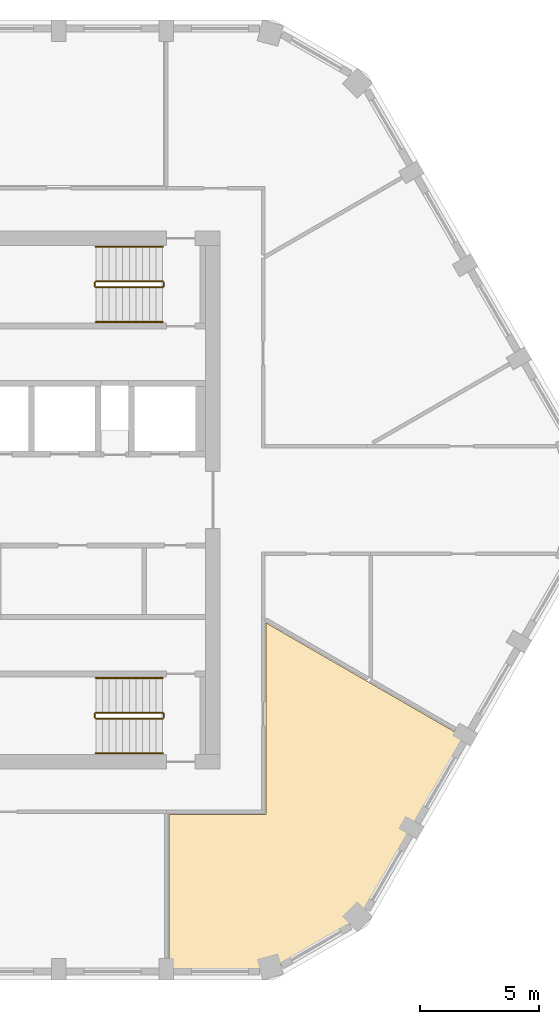
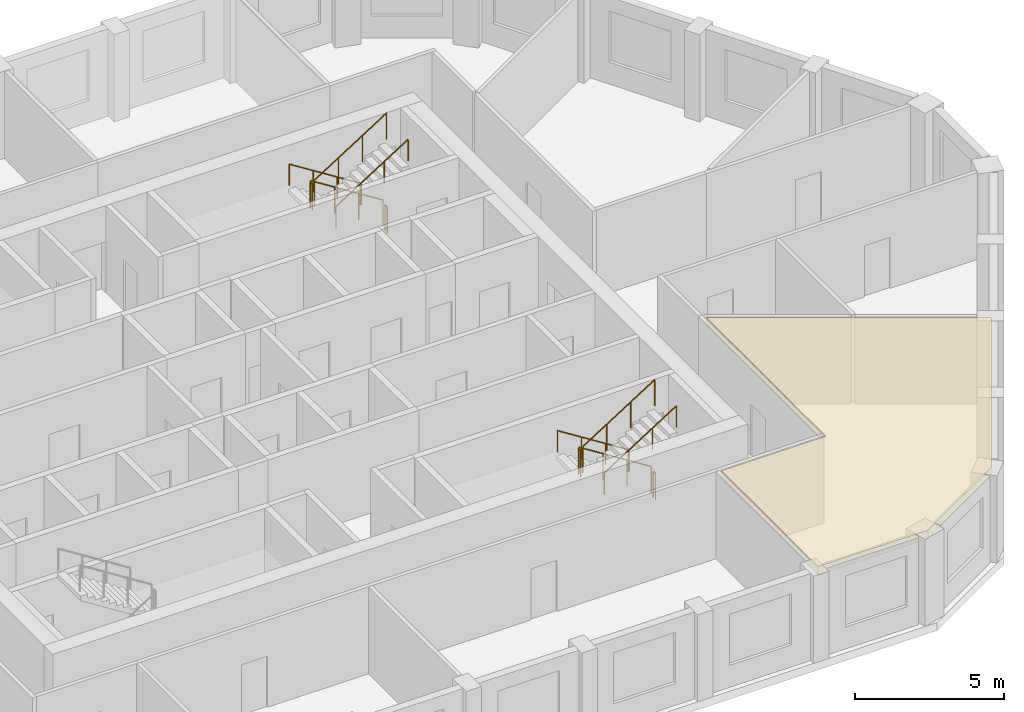
# One storey, part 9 of 10: 12 railings, 1 covering.
"""IFC4 building model written with IfcOpenShell, lengths in metres."""

from ifc_helpers import new_model, si_unit, direction, frame, origin, origin_2d, place, context, subcontext, project, spatial, polyline, circle, outline, extrude, material, layer, layer_set, type_object, element, save


model = new_model("IFC4")

# Units and contexts
model_context = context("Model", 3, precision=1e-05, world=origin(), true_north=direction((0.0, 1.0)))
body_context = subcontext(model_context, "Body", "Model", "MODEL_VIEW")
ifc_project = project(units=[si_unit("LENGTHUNIT", "METRE"), si_unit("AREAUNIT", "SQUARE_METRE"), si_unit("VOLUMEUNIT", "CUBIC_METRE"), si_unit("PLANEANGLEUNIT", "RADIAN"), si_unit("MASSUNIT", "GRAM", prefix="KILO")], contexts=[model_context])

# Site, building, storey
site_placement = place(None, origin())
site = spatial("IfcSite", under=ifc_project, at=site_placement, CompositionType="ELEMENT")
building_placement = place(site_placement, origin())
building = spatial("IfcBuilding", under=site, at=building_placement, Name="Dhurran Vertical Campus", CompositionType="ELEMENT")
storey_placement = place(building_placement, frame((0.0, 0.0, 302.10009765625)))
storey = spatial("IfcBuildingStorey", under=building, at=storey_placement, Name="L75", CompositionType="ELEMENT", Elevation=302.10009765625)

# Railings
ifc_material_1 = material(Name="Stainless steel balustrade", Category="steel")
railing_type_1 = type_object("IfcRailingType", Name="co-RL-GUARD-1100", PredefinedType="GUARDRAIL", material=ifc_material_1)
railing_1_placement = place(storey_placement, frame((11.10009765625, 9.14990234375, 0.17724609375)))
element("IfcRailing", 1, at=railing_1_placement, inside=storey, type_object=railing_type_1, Name="L75 ST2 stair guard 1", PredefinedType="GUARDRAIL", context=body_context, shape_type="SweptSolid", body=[
    extrude(circle(Radius=0.02392578125, at=origin_2d()), frame((0.0, 0.0, 1.076171875), z_axis=(-0.844908973607, 0.0, 0.534910110503), x_axis=(0.0, -1.0, 0.0)), (0.0, 0.0, 1.0), 3.31396484375),
    extrude(circle(Radius=0.02099609375, at=origin_2d()), origin(), (0.0, 0.0, 1.0), 1.052001953125),
    extrude(circle(Radius=0.02099609375, at=origin_2d()), frame((-0.933349609375, 0.0, 0.5908203125)), (0.0, 0.0, 1.0), 1.052001953125),
    extrude(circle(Radius=0.02099609375, at=origin_2d()), frame((-1.86669921875, 0.0, 1.181884765625)), (0.0, 0.0, 1.0), 1.052001953125),
    extrude(circle(Radius=0.02099609375, at=origin_2d()), frame((-2.800048828125, 0.0, 1.772705078125)), (0.0, 0.0, 1.0), 1.052001953125),
])
railing_2_placement = place(storey_placement, frame((8.25, 9.10009765625, 1.949951171875)))
element("IfcRailing", 2, at=railing_2_placement, inside=storey, type_object=railing_type_1, Name="L75 ST2 stair guard 2", PredefinedType="GUARDRAIL", context=body_context, shape_type="SweptSolid", body=[
    extrude(circle(Radius=0.02392578125, at=origin_2d()), frame((0.0, 0.0, 1.076171875), z_axis=(0.0, -1.0, 0.0), x_axis=(1.0, 0.0, 0.0)), (0.0, 0.0, 1.0), 0.150146484375),
    extrude(circle(Radius=0.02099609375, at=origin_2d()), origin(), (0.0, 0.0, 1.0), 1.052001953125),
    extrude(circle(Radius=0.02099609375, at=origin_2d()), frame((0.0, -0.150146484375, 0.0)), (0.0, 0.0, 1.0), 1.052001953125),
])
railing_3_placement = place(storey_placement, frame((8.300048828125, 8.89990234375, 2.127197265625)))
element("IfcRailing", 3, at=railing_3_placement, inside=storey, type_object=railing_type_1, Name="L75 ST2 stair guard 3", PredefinedType="GUARDRAIL", context=body_context, shape_type="SweptSolid", body=[
    extrude(circle(Radius=0.02392578125, at=origin_2d()), frame((0.0, 0.0, 1.076171875), z_axis=(0.844908973607, 0.0, 0.534910110503), x_axis=(0.0, 1.0, 0.0)), (0.0, 0.0, 1.0), 3.31396484375),
    extrude(circle(Radius=0.02099609375, at=origin_2d()), origin(), (0.0, 0.0, 1.0), 1.052001953125),
    extrude(circle(Radius=0.02099609375, at=origin_2d()), frame((0.933349609375, 0.0, 0.5908203125)), (0.0, 0.0, 1.0), 1.052001953125),
    extrude(circle(Radius=0.02099609375, at=origin_2d()), frame((1.86669921875, 0.0, 1.181884765625)), (0.0, 0.0, 1.0), 1.052001953125),
    extrude(circle(Radius=0.02099609375, at=origin_2d()), frame((2.800048828125, 0.0, 1.772705078125)), (0.0, 0.0, 1.0), 1.052001953125),
])
railing_4_placement = place(storey_placement, frame((11.14990234375, 9.10009765625, 0.0)))
element("IfcRailing", 4, at=railing_4_placement, inside=storey, type_object=railing_type_1, Name="L75 ST2 stair guard 4", PredefinedType="GUARDRAIL", context=body_context, shape_type="SweptSolid", body=[
    extrude(circle(Radius=0.02392578125, at=origin_2d()), frame((0.0, 0.0, 1.076171875), z_axis=(0.0, -1.0, 0.0), x_axis=(1.0, 0.0, 0.0)), (0.0, 0.0, 1.0), 0.150146484375),
    extrude(circle(Radius=0.02099609375, at=origin_2d()), origin(), (0.0, 0.0, 1.0), 1.052001953125),
    extrude(circle(Radius=0.02099609375, at=origin_2d()), frame((0.0, -0.150146484375, 0.0)), (0.0, 0.0, 1.0), 1.052001953125),
])
railing_5_placement = place(storey_placement, frame((11.10009765625, -8.89990234375, 0.17724609375)))
element("IfcRailing", 5, at=railing_5_placement, inside=storey, type_object=railing_type_1, Name="L75 ST4 stair guard 1", PredefinedType="GUARDRAIL", context=body_context, shape_type="SweptSolid", body=[
    extrude(circle(Radius=0.02392578125, at=origin_2d()), frame((0.0, 0.0, 1.076171875), z_axis=(-0.844908973607, 0.0, 0.534910110503), x_axis=(0.0, -1.0, 0.0)), (0.0, 0.0, 1.0), 3.31396484375),
    extrude(circle(Radius=0.02099609375, at=origin_2d()), origin(), (0.0, 0.0, 1.0), 1.052001953125),
    extrude(circle(Radius=0.02099609375, at=origin_2d()), frame((-0.933349609375, 0.0, 0.5908203125)), (0.0, 0.0, 1.0), 1.052001953125),
    extrude(circle(Radius=0.02099609375, at=origin_2d()), frame((-1.86669921875, 0.0, 1.181884765625)), (0.0, 0.0, 1.0), 1.052001953125),
    extrude(circle(Radius=0.02099609375, at=origin_2d()), frame((-2.800048828125, 0.0, 1.772705078125)), (0.0, 0.0, 1.0), 1.052001953125),
])
railing_6_placement = place(storey_placement, frame((8.25, -8.949951171875, 1.949951171875)))
element("IfcRailing", 6, at=railing_6_placement, inside=storey, type_object=railing_type_1, Name="L75 ST4 stair guard 2", PredefinedType="GUARDRAIL", context=body_context, shape_type="SweptSolid", body=[
    extrude(circle(Radius=0.02392578125, at=origin_2d()), frame((0.0, 0.0, 1.076171875), z_axis=(0.0, -1.0, 0.0), x_axis=(1.0, 0.0, 0.0)), (0.0, 0.0, 1.0), 0.150146484375),
    extrude(circle(Radius=0.02099609375, at=origin_2d()), origin(), (0.0, 0.0, 1.0), 1.052001953125),
    extrude(circle(Radius=0.02099609375, at=origin_2d()), frame((0.0, -0.150146484375, 0.0)), (0.0, 0.0, 1.0), 1.052001953125),
])
railing_7_placement = place(storey_placement, frame((8.300048828125, -9.14990234375, 2.127197265625)))
element("IfcRailing", 7, at=railing_7_placement, inside=storey, type_object=railing_type_1, Name="L75 ST4 stair guard 3", PredefinedType="GUARDRAIL", context=body_context, shape_type="SweptSolid", body=[
    extrude(circle(Radius=0.02392578125, at=origin_2d()), frame((0.0, 0.0, 1.076171875), z_axis=(0.844908973607, 0.0, 0.534910110503), x_axis=(0.0, 1.0, 0.0)), (0.0, 0.0, 1.0), 3.31396484375),
    extrude(circle(Radius=0.02099609375, at=origin_2d()), origin(), (0.0, 0.0, 1.0), 1.052001953125),
    extrude(circle(Radius=0.02099609375, at=origin_2d()), frame((0.933349609375, 0.0, 0.5908203125)), (0.0, 0.0, 1.0), 1.052001953125),
    extrude(circle(Radius=0.02099609375, at=origin_2d()), frame((1.86669921875, 0.0, 1.181884765625)), (0.0, 0.0, 1.0), 1.052001953125),
    extrude(circle(Radius=0.02099609375, at=origin_2d()), frame((2.800048828125, 0.0, 1.772705078125)), (0.0, 0.0, 1.0), 1.052001953125),
])
railing_8_placement = place(storey_placement, frame((11.14990234375, -8.949951171875, 0.0)))
element("IfcRailing", 8, at=railing_8_placement, inside=storey, type_object=railing_type_1, Name="L75 ST4 stair guard 4", PredefinedType="GUARDRAIL", context=body_context, shape_type="SweptSolid", body=[
    extrude(circle(Radius=0.02392578125, at=origin_2d()), frame((0.0, 0.0, 1.076171875), z_axis=(0.0, -1.0, 0.0), x_axis=(1.0, 0.0, 0.0)), (0.0, 0.0, 1.0), 0.150146484375),
    extrude(circle(Radius=0.02099609375, at=origin_2d()), origin(), (0.0, 0.0, 1.0), 1.052001953125),
    extrude(circle(Radius=0.02099609375, at=origin_2d()), frame((0.0, -0.150146484375, 0.0)), (0.0, 0.0, 1.0), 1.052001953125),
])
ifc_material_2 = material(Name="Stainless steel handrail", Category="steel")
railing_type_2 = type_object("IfcRailingType", Name="co-RL-HANDRAIL-900", PredefinedType="HANDRAIL", material=ifc_material_2)
railing_9_placement = place(storey_placement, frame((11.10009765625, 10.60009765625, 0.17724609375)))
element("IfcRailing", 9, at=railing_9_placement, inside=storey, type_object=railing_type_2, Name="L75 ST2 stair handrail 1", PredefinedType="HANDRAIL", context=body_context, shape_type="SweptSolid", body=[
    extrude(circle(Radius=0.02392578125, at=origin_2d()), frame((0.0, 0.0, 0.8759765625), z_axis=(-0.844908973607, 0.0, 0.534910110503), x_axis=(0.0, -1.0, 0.0)), (0.0, 0.0, 1.0), 3.31396484375),
    extrude(circle(Radius=0.02099609375, at=origin_2d()), origin(), (0.0, 0.0, 1.0), 0.851806640625),
    extrude(circle(Radius=0.02099609375, at=origin_2d()), frame((-0.933349609375, 0.0, 0.5908203125)), (0.0, 0.0, 1.0), 0.851806640625),
    extrude(circle(Radius=0.02099609375, at=origin_2d()), frame((-1.86669921875, 0.0, 1.181884765625)), (0.0, 0.0, 1.0), 0.851806640625),
    extrude(circle(Radius=0.02099609375, at=origin_2d()), frame((-2.800048828125, 0.0, 1.772705078125)), (0.0, 0.0, 1.0), 0.851806640625),
])
railing_10_placement = place(storey_placement, frame((8.300048828125, 7.449951171875, 2.127197265625)))
element("IfcRailing", 10, at=railing_10_placement, inside=storey, type_object=railing_type_2, Name="L75 ST2 stair handrail 2", PredefinedType="HANDRAIL", context=body_context, shape_type="SweptSolid", body=[
    extrude(circle(Radius=0.02392578125, at=origin_2d()), frame((0.0, 0.0, 0.8759765625), z_axis=(0.844908973607, 0.0, 0.534910110503), x_axis=(0.0, 1.0, 0.0)), (0.0, 0.0, 1.0), 3.31396484375),
    extrude(circle(Radius=0.02099609375, at=origin_2d()), origin(), (0.0, 0.0, 1.0), 0.851806640625),
    extrude(circle(Radius=0.02099609375, at=origin_2d()), frame((0.933349609375, 0.0, 0.5908203125)), (0.0, 0.0, 1.0), 0.851806640625),
    extrude(circle(Radius=0.02099609375, at=origin_2d()), frame((1.86669921875, 0.0, 1.181884765625)), (0.0, 0.0, 1.0), 0.851806640625),
    extrude(circle(Radius=0.02099609375, at=origin_2d()), frame((2.800048828125, 0.0, 1.772705078125)), (0.0, 0.0, 1.0), 0.851806640625),
])
railing_11_placement = place(storey_placement, frame((11.10009765625, -7.449951171875, 0.17724609375)))
element("IfcRailing", 11, at=railing_11_placement, inside=storey, type_object=railing_type_2, Name="L75 ST4 stair handrail 1", PredefinedType="HANDRAIL", context=body_context, shape_type="SweptSolid", body=[
    extrude(circle(Radius=0.02392578125, at=origin_2d()), frame((0.0, 0.0, 0.8759765625), z_axis=(-0.844908973607, 0.0, 0.534910110503), x_axis=(0.0, -1.0, 0.0)), (0.0, 0.0, 1.0), 3.31396484375),
    extrude(circle(Radius=0.02099609375, at=origin_2d()), origin(), (0.0, 0.0, 1.0), 0.851806640625),
    extrude(circle(Radius=0.02099609375, at=origin_2d()), frame((-0.933349609375, 0.0, 0.5908203125)), (0.0, 0.0, 1.0), 0.851806640625),
    extrude(circle(Radius=0.02099609375, at=origin_2d()), frame((-1.86669921875, 0.0, 1.181884765625)), (0.0, 0.0, 1.0), 0.851806640625),
    extrude(circle(Radius=0.02099609375, at=origin_2d()), frame((-2.800048828125, 0.0, 1.772705078125)), (0.0, 0.0, 1.0), 0.851806640625),
])
railing_12_placement = place(storey_placement, frame((8.300048828125, -10.60009765625, 2.127197265625)))
element("IfcRailing", 12, at=railing_12_placement, inside=storey, type_object=railing_type_2, Name="L75 ST4 stair handrail 2", PredefinedType="HANDRAIL", context=body_context, shape_type="SweptSolid", body=[
    extrude(circle(Radius=0.02392578125, at=origin_2d()), frame((0.0, 0.0, 0.8759765625), z_axis=(0.844908973607, 0.0, 0.534910110503), x_axis=(0.0, 1.0, 0.0)), (0.0, 0.0, 1.0), 3.31396484375),
    extrude(circle(Radius=0.02099609375, at=origin_2d()), origin(), (0.0, 0.0, 1.0), 0.851806640625),
    extrude(circle(Radius=0.02099609375, at=origin_2d()), frame((0.933349609375, 0.0, 0.5908203125)), (0.0, 0.0, 1.0), 0.851806640625),
    extrude(circle(Radius=0.02099609375, at=origin_2d()), frame((1.86669921875, 0.0, 1.181884765625)), (0.0, 0.0, 1.0), 0.851806640625),
    extrude(circle(Radius=0.02099609375, at=origin_2d()), frame((2.800048828125, 0.0, 1.772705078125)), (0.0, 0.0, 1.0), 0.851806640625),
])

# Covering
ifc_material_3 = material(Name="Mineral fibre ceiling tiles on suspended grid")
ifc_layer = layer(ifc_material_3, 0.35009765625)
ifc_layer_set = layer_set([ifc_layer], Name="Mineral fibre ceiling tiles on suspended grid")
covering_type = type_object("IfcCoveringType", Name="fl-CE-350 suspended ceiling", PredefinedType="CEILING", material=ifc_layer_set)
covering_placement = place(storey_placement, frame((0.0, 0.0, 3.224853515625)))
element("IfcCovering", 13, at=covering_placement, inside=storey, type_object=covering_type, Name="Ceiling 75-15", PredefinedType="CEILING", context=body_context, shape_type="SweptSolid", body=[
    extrude(outline(polyline([(23.722900390625, -9.93798828125), (19.339111328125, -17.531005859375), (15.637939453125, -19.66796875), (11.3701171875, -19.66796875), (11.3701171875, -13.169921875), (15.419921875, -13.169921875), (15.419921875, -5.14404296875), (23.722900390625, -9.93798828125)])), origin(), (0.0, 0.0, 1.0), 0.35009765625),
])

save(model, "model.ifc")
